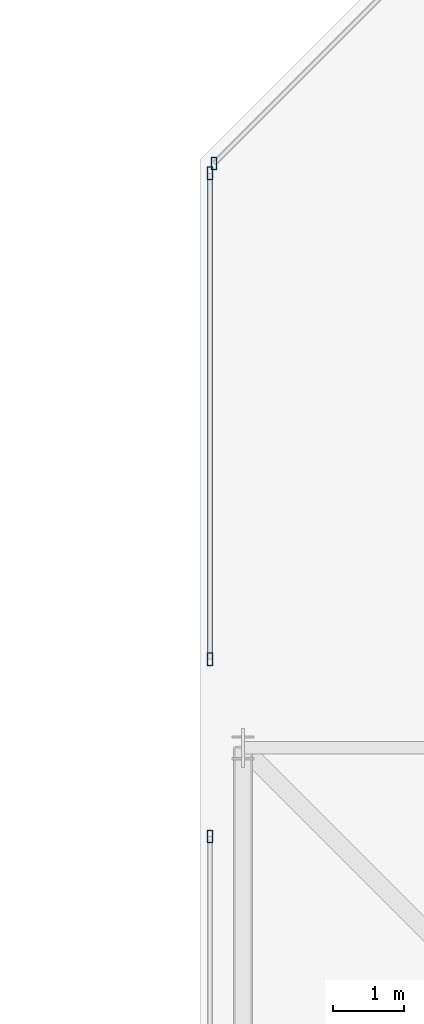
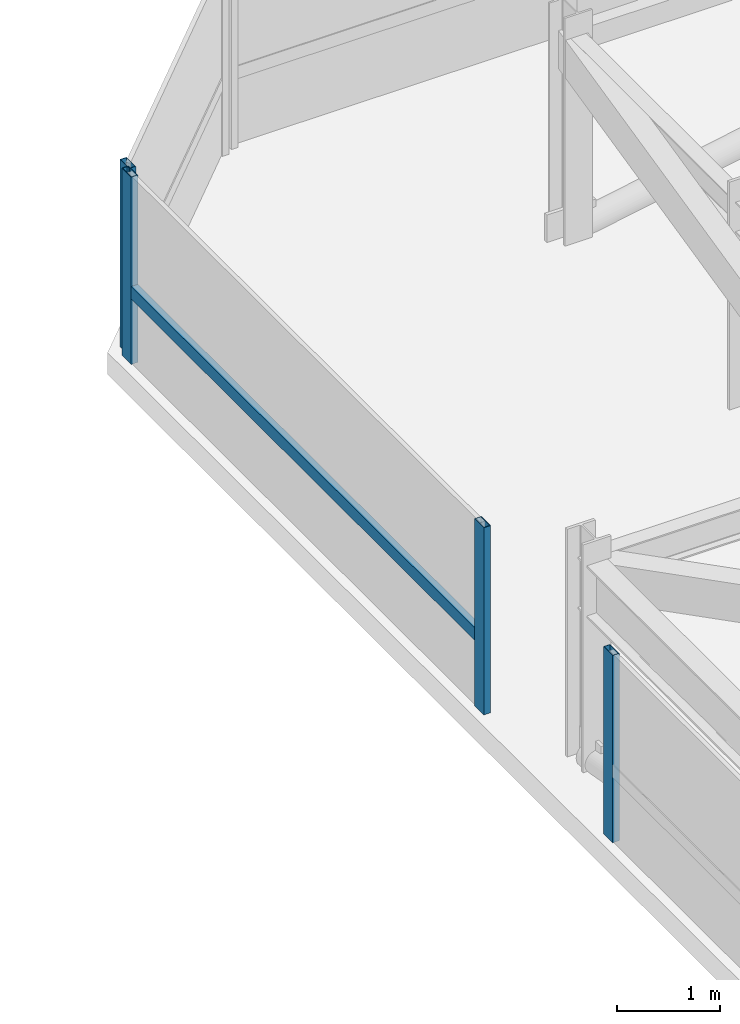
# One storey, part 26 of 42: 5 members, 3 elements without a shape of their own.
"""IFC4 building model written with IfcOpenShell, lengths in metres."""

from ifc_helpers import new_model, si_unit, direction, frame, origin, origin_2d, place, context, subcontext, project, spatial, hollow_rectangle, extrude, material, material_profile, profile_set, type_object, element, aggregate, save


model = new_model("IFC4")

# Units and contexts
model_context = context("Model", 3, precision=1e-05, world=origin(), true_north=direction((0.0, 1.0)))
body_context = subcontext(model_context, "Body", "Model", "MODEL_VIEW")
ifc_project = project(units=[si_unit("LENGTHUNIT", "METRE"), si_unit("AREAUNIT", "SQUARE_METRE"), si_unit("VOLUMEUNIT", "CUBIC_METRE"), si_unit("PLANEANGLEUNIT", "RADIAN"), si_unit("MASSUNIT", "GRAM", prefix="KILO")], contexts=[model_context])

# Site, building, storey
site_placement = place(None, origin())
site = spatial("IfcSite", under=ifc_project, at=site_placement, CompositionType="ELEMENT")
building_placement = place(site_placement, origin())
building = spatial("IfcBuilding", under=site, at=building_placement, Name="Thornwick Lancets Civic Towers", CompositionType="ELEMENT")
storey_placement = place(building_placement, frame((0.0, 0.0, 286.800048828125)))
storey = spatial("IfcBuildingStorey", under=building, at=storey_placement, Name="C03", CompositionType="ELEMENT", Elevation=286.800048828125)

# Curtain wall, member
ifc_material_1 = material(Name="Crown ring acoustic-louvre and glazing screen wall", Category="glass")
curtain_wall_type = type_object("IfcCurtainWallType", Name="CW_SYS_07", PredefinedType="NOTDEFINED", material=ifc_material_1)
curtain_wall_1_placement = place(storey_placement, origin())
curtain_wall_1 = element("IfcCurtainWall", 1, at=curtain_wall_1_placement, inside=storey, type_object=curtain_wall_type, Name="C03 Curtain Wall CW-C03-B-E5", PredefinedType="NOTDEFINED")
ifc_material_2 = material(Name="Thermally broken bronze aluminium S355", Category="steel")
ifc_material_profile_1 = material_profile(ifc_material_2, hollow_rectangle(XDim=0.074951171875, YDim=0.179931640625, WallThickness=0.006103515625, at=origin_2d()), Name="RHS 180x75x6")
ifc_profile_set_1 = profile_set([ifc_material_profile_1], Name="Thermally broken bronze aluminium S355")
member_type_1 = type_object("IfcMemberType", Name="CW_MUL_180", PredefinedType="MULLION", material=ifc_profile_set_1)
member_1_placement = place(storey_placement, frame((70.7919921875, 48.238037109375, 0.0), z_axis=(0.0, 0.0, 1.0), x_axis=(1.0, 0.0, 0.0)))
member_1 = element("IfcMember", 2, at=member_1_placement, type_object=member_type_1, Name="CW-C03-B-E5 Mullion 1", PredefinedType="MULLION", context=body_context, shape_type="SweptSolid", body=[
    extrude(hollow_rectangle(XDim=0.074951171875, YDim=0.179931640625, WallThickness=0.006103515625, at=origin_2d()), origin(), (0.0, 0.0, 1.0), 2.219970703125),
])
aggregate(curtain_wall_1, [member_1])

# Curtain wall, members
curtain_wall_2_placement = place(storey_placement, origin())
curtain_wall_2 = element("IfcCurtainWall", 3, at=curtain_wall_2_placement, inside=storey, type_object=curtain_wall_type, Name="C03 Curtain Wall CW-C03-B-E6-S1", PredefinedType="NOTDEFINED")
member_2_placement = place(storey_placement, frame((70.7353515625, 48.101318359375, 0.0), z_axis=(0.0, 0.0, 1.0), x_axis=(1.0, 0.0, 0.0)))
member_2 = element("IfcMember", 4, at=member_2_placement, type_object=member_type_1, Name="CW-C03-B-E6-S1 Mullion 0", PredefinedType="MULLION", context=body_context, shape_type="SweptSolid", body=[
    extrude(hollow_rectangle(XDim=0.074951171875, YDim=0.179931640625, WallThickness=0.006103515625, at=origin_2d()), origin(), (0.0, 0.0, 1.0), 2.219970703125),
])
member_3_placement = place(storey_placement, frame((70.7353515625, 41.25, 0.0), z_axis=(0.0, 0.0, 1.0), x_axis=(1.0, 0.0, 0.0)))
member_3 = element("IfcMember", 5, at=member_3_placement, type_object=member_type_1, Name="CW-C03-B-E6-S1 Mullion 1", PredefinedType="MULLION", context=body_context, shape_type="SweptSolid", body=[
    extrude(hollow_rectangle(XDim=0.074951171875, YDim=0.179931640625, WallThickness=0.006103515625, at=origin_2d()), origin(), (0.0, 0.0, 1.0), 2.219970703125),
])

# Curtain wall, member
curtain_wall_3_placement = place(storey_placement, origin())
curtain_wall_3 = element("IfcCurtainWall", 6, at=curtain_wall_3_placement, inside=storey, type_object=curtain_wall_type, Name="C03 Curtain Wall CW-C03-B-E6-S2", PredefinedType="NOTDEFINED")
member_4_placement = place(storey_placement, frame((70.7353515625, 38.75, 0.0), z_axis=(0.0, 0.0, 1.0), x_axis=(1.0, 0.0, 0.0)))
member_4 = element("IfcMember", 7, at=member_4_placement, type_object=member_type_1, Name="CW-C03-B-E6-S2 Mullion 0", PredefinedType="MULLION", context=body_context, shape_type="SweptSolid", body=[
    extrude(hollow_rectangle(XDim=0.074951171875, YDim=0.179931640625, WallThickness=0.006103515625, at=origin_2d()), origin(), (0.0, 0.0, 1.0), 2.219970703125),
])
aggregate(curtain_wall_3, [member_4])

# Member
ifc_material_profile_2 = material_profile(ifc_material_2, hollow_rectangle(XDim=0.074951171875, YDim=0.14990234375, WallThickness=0.0048828125, at=origin_2d()), Name="RHS 150x75x5")
ifc_profile_set_2 = profile_set([ifc_material_profile_2], Name="Thermally broken bronze aluminium S355")
member_type_2 = type_object("IfcMemberType", Name="CW_TRN_150", PredefinedType="USERDEFINED", material=ifc_profile_set_2)
member_5_placement = place(storey_placement, frame((70.7353515625, 48.081298828125, 0.849853515625), z_axis=(0.0, -1.0, 0.0), x_axis=(1.0, 0.0, 0.0)))
member_5 = element("IfcMember", 8, at=member_5_placement, type_object=member_type_2, Name="CW-C03-B-E6-S1 Transom 0", ObjectType="TRANSOM", PredefinedType="USERDEFINED", context=body_context, shape_type="SweptSolid", body=[
    extrude(hollow_rectangle(XDim=0.074951171875, YDim=0.14990234375, WallThickness=0.0048828125, at=origin_2d()), origin(), (0.0, 0.0, 1.0), 6.811279296875),
])

aggregate(curtain_wall_2, [member_2, member_3, member_5])

save(model, "model.ifc")
